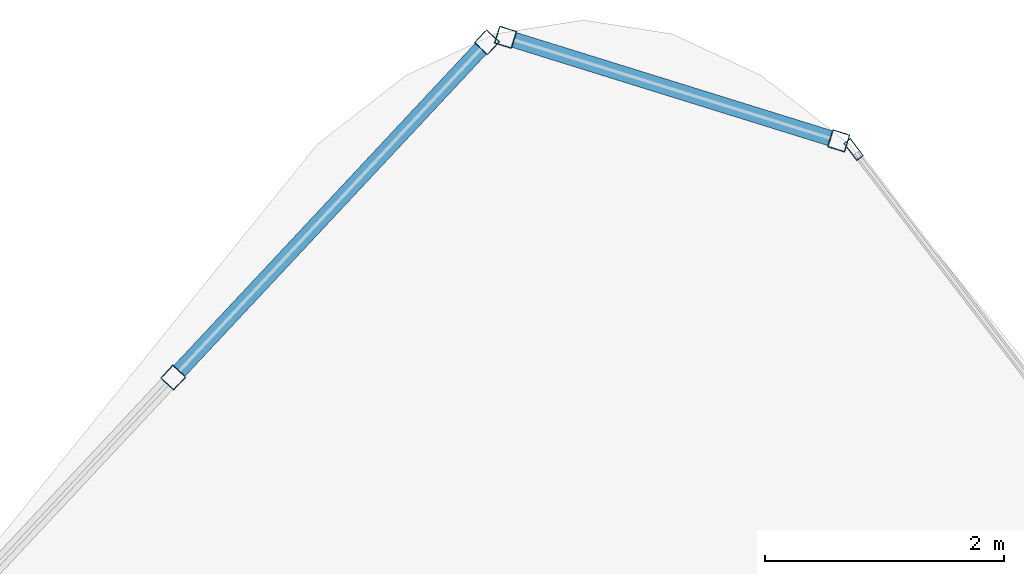
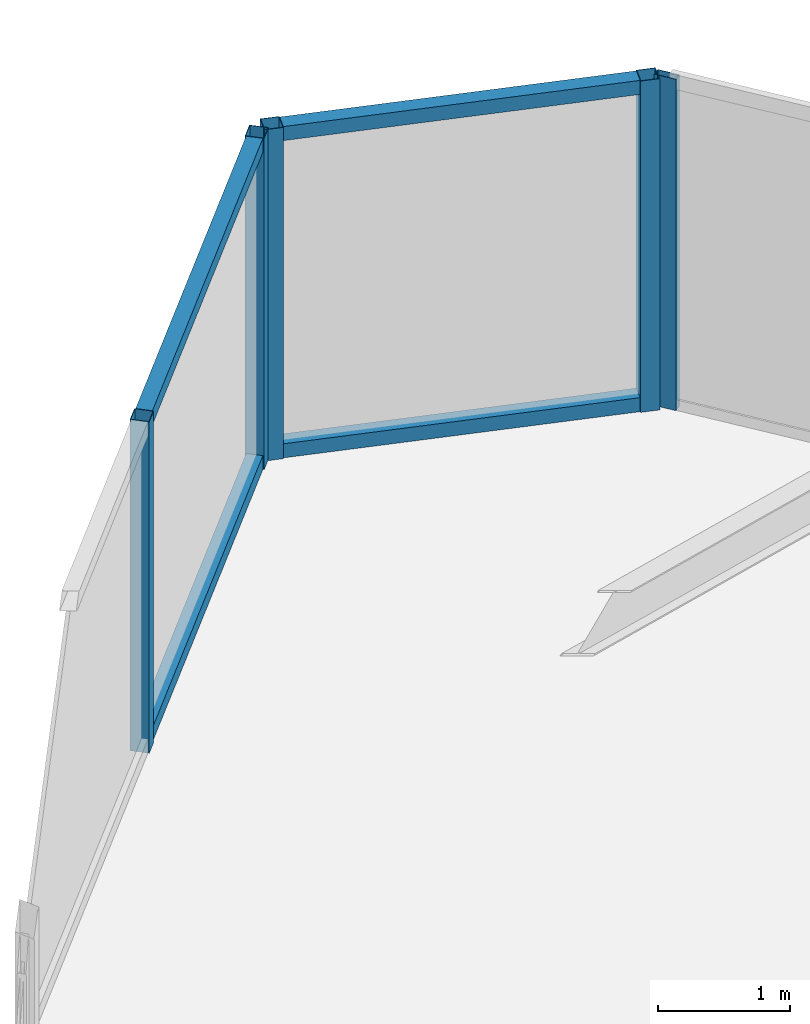
# One storey, part 24 of 34: 9 members, 3 elements without a shape of their own.
"""IFC4 building model written with IfcOpenShell, lengths in metres."""

from ifc_helpers import new_model, si_unit, direction, frame, origin, origin_2d, place, context, subcontext, project, spatial, hollow_rectangle, extrude, material, layer, layer_set, material_profile, profile_set, type_object, element, aggregate, save


model = new_model("IFC4")

# Units and contexts
model_context = context("Model", 3, precision=1e-05, world=origin(), true_north=direction((0.0, 1.0)))
body_context = subcontext(model_context, "Body", "Model", "MODEL_VIEW")
ifc_project = project(units=[si_unit("LENGTHUNIT", "METRE"), si_unit("AREAUNIT", "SQUARE_METRE"), si_unit("VOLUMEUNIT", "CUBIC_METRE"), si_unit("PLANEANGLEUNIT", "RADIAN"), si_unit("MASSUNIT", "GRAM", prefix="KILO")], contexts=[model_context])

# Site, building, storey
site_placement = place(None, origin())
site = spatial("IfcSite", under=ifc_project, at=site_placement, CompositionType="ELEMENT")
building_placement = place(site_placement, origin())
building = spatial("IfcBuilding", under=site, at=building_placement, Name="Orvanel Arch Residences", CompositionType="ELEMENT")
storey_placement = place(building_placement, frame((0.0, 0.0, 80.75)))
storey = spatial("IfcBuildingStorey", under=building, at=storey_placement, Name="L22", CompositionType="ELEMENT", Elevation=80.75)

# Curtain wall, members
ifc_material = material(Name="Bronze-anodised aluminium AA6063-T6", Category="aluminium")
ifc_layer_1 = layer(ifc_material, 0.18994140625)
ifc_layer_set_1 = layer_set([ifc_layer_1], Name="Bronze-anodised aluminium AA6063-T6")
curtain_wall_type_1 = type_object("IfcCurtainWallType", Name="CW5-CRN-SYS", PredefinedType="NOTDEFINED", material=ifc_layer_set_1)
curtain_wall_1_placement = place(storey_placement, origin())
curtain_wall_1 = element("IfcCurtainWall", 1, at=curtain_wall_1_placement, inside=storey, type_object=curtain_wall_type_1, Name="L22 CW5-CRN-SYS Unitised Curtain Wall", PredefinedType="NOTDEFINED")
ifc_material_profile_1 = material_profile(ifc_material, hollow_rectangle(XDim=0.14990234375, YDim=0.14990234375, WallThickness=0.0048828125, at=origin_2d()), Name="ALU150x150x5")
ifc_profile_set_1 = profile_set([ifc_material_profile_1], Name="Bronze-anodised aluminium AA6063-T6")
member_type_1 = type_object("IfcMemberType", Name="MUL-150x150", PredefinedType="MULLION", material=ifc_profile_set_1)
member_1_placement = place(storey_placement, frame((35.13427734375, 50.044189453125, 0.0), z_axis=(0.0, 0.0, 1.0), x_axis=(-0.296993893392, -0.954879378397, 0.0)))
member_1 = element("IfcMember", 2, at=member_1_placement, type_object=member_type_1, Name="CW-S5 mullion 1", PredefinedType="MULLION", context=body_context, shape_type="SweptSolid", body=[
    extrude(hollow_rectangle(XDim=0.14990234375, YDim=0.14990234375, WallThickness=0.0048828125, at=origin_2d()), origin(), (0.0, 0.0, 1.0), 3.06005859375),
])
member_2_placement = place(storey_placement, frame((32.3486328125, 50.91064453125, 0.0), z_axis=(0.0, 0.0, 1.0), x_axis=(-0.296993893392, -0.954879378397, 0.0)))
member_2 = element("IfcMember", 3, at=member_2_placement, type_object=member_type_1, Name="CW-S5 mullion 2", PredefinedType="MULLION", context=body_context, shape_type="SweptSolid", body=[
    extrude(hollow_rectangle(XDim=0.14990234375, YDim=0.14990234375, WallThickness=0.0048828125, at=origin_2d()), origin(), (0.0, 0.0, 1.0), 3.06005859375),
])

curtain_wall_2_placement = place(storey_placement, origin())
curtain_wall_2 = element("IfcCurtainWall", 4, at=curtain_wall_2_placement, inside=storey, type_object=curtain_wall_type_1, Name="L22 CW5-CRN-SYS Unitised Curtain Wall", PredefinedType="NOTDEFINED")
member_3_placement = place(storey_placement, frame((32.19287109375, 50.869140625, 0.0), z_axis=(0.0, 0.0, 1.0), x_axis=(0.730281692072, -0.683146141191, 0.0)))
member_3 = element("IfcMember", 5, at=member_3_placement, type_object=member_type_1, Name="CW-S5 mullion 1", PredefinedType="MULLION", context=body_context, shape_type="SweptSolid", body=[
    extrude(hollow_rectangle(XDim=0.14990234375, YDim=0.14990234375, WallThickness=0.0048828125, at=origin_2d()), origin(), (0.0, 0.0, 1.0), 3.06005859375),
])
member_4_placement = place(storey_placement, frame((29.570068359375, 48.0654296875, 0.0), z_axis=(0.0, 0.0, 1.0), x_axis=(0.730281692072, -0.683146141191, 0.0)))
member_4 = element("IfcMember", 6, at=member_4_placement, type_object=member_type_1, Name="CW-S5 mullion 2", PredefinedType="MULLION", context=body_context, shape_type="SweptSolid", body=[
    extrude(hollow_rectangle(XDim=0.14990234375, YDim=0.14990234375, WallThickness=0.0048828125, at=origin_2d()), origin(), (0.0, 0.0, 1.0), 3.06005859375),
])

# Curtain wall, member
ifc_layer_2 = layer(ifc_material, 0.179931640625)
ifc_layer_set_2 = layer_set([ifc_layer_2], Name="Bronze-anodised aluminium AA6063-T6")
curtain_wall_type_2 = type_object("IfcCurtainWallType", Name="CW2-LOW-SYS", PredefinedType="NOTDEFINED", material=ifc_layer_set_2)
curtain_wall_3_placement = place(storey_placement, origin())
curtain_wall_3 = element("IfcCurtainWall", 7, at=curtain_wall_3_placement, inside=storey, type_object=curtain_wall_type_2, Name="L22 CW2-LOW-SYS Unitised Curtain Wall", PredefinedType="NOTDEFINED")
ifc_material_profile_2 = material_profile(ifc_material, hollow_rectangle(XDim=0.070068359375, YDim=0.179931640625, WallThickness=0.00439453125, at=origin_2d()), Name="ALU180x70x4.5")
ifc_profile_set_2 = profile_set([ifc_material_profile_2], Name="Bronze-anodised aluminium AA6063-T6")
member_type_2 = type_object("IfcMemberType", Name="MUL-180x70", PredefinedType="MULLION", material=ifc_profile_set_2)
member_5_placement = place(storey_placement, frame((35.25830078125, 49.97216796875, 0.0), z_axis=(0.0, 0.0, 1.0), x_axis=(-0.794739834664, -0.606950241122, 0.0)))
member_5 = element("IfcMember", 8, at=member_5_placement, type_object=member_type_2, Name="CW-S2 mullion 4", PredefinedType="MULLION", context=body_context, shape_type="SweptSolid", body=[
    extrude(hollow_rectangle(XDim=0.070068359375, YDim=0.179931640625, WallThickness=0.00439453125, at=origin_2d()), origin(), (0.0, 0.0, 1.0), 3.06005859375),
])
aggregate(curtain_wall_3, [member_5])

# Member
ifc_material_profile_3 = material_profile(ifc_material, hollow_rectangle(XDim=0.1298828125, YDim=0.1298828125, WallThickness=0.00439453125, at=origin_2d()), Name="ALU130x130x4.5")
ifc_profile_set_3 = profile_set([ifc_material_profile_3], Name="Bronze-anodised aluminium AA6063-T6")
member_type_3 = type_object("IfcMemberType", Name="TRN-130x130", PredefinedType="USERDEFINED", material=ifc_profile_set_3)
member_6_placement = place(storey_placement, frame((35.062744140625, 50.066650390625, 0.06494140625), z_axis=(-0.954893471113, 0.296948579431, 0.0), x_axis=(-0.296948579431, -0.954893471113, 0.0)))
member_6 = element("IfcMember", 9, at=member_6_placement, type_object=member_type_3, Name="CW-S5 transom 1.1", ObjectType="TRANSOM", PredefinedType="USERDEFINED", context=body_context, shape_type="SweptSolid", body=[
    extrude(hollow_rectangle(XDim=0.1298828125, YDim=0.1298828125, WallThickness=0.00439453125, at=origin_2d()), origin(), (0.0, 0.0, 1.0), 2.767333984375),
])

member_7_placement = place(storey_placement, frame((35.062744140625, 50.066650390625, 2.9951171875), z_axis=(-0.954893471113, 0.296948579431, 0.0), x_axis=(-0.296948579431, -0.954893471113, 0.0)))
member_7 = element("IfcMember", 10, at=member_7_placement, type_object=member_type_3, Name="CW-S5 transom 1.2", ObjectType="TRANSOM", PredefinedType="USERDEFINED", context=body_context, shape_type="SweptSolid", body=[
    extrude(hollow_rectangle(XDim=0.1298828125, YDim=0.1298828125, WallThickness=0.00439453125, at=origin_2d()), origin(), (0.0, 0.0, 1.0), 2.767333984375),
])

aggregate(curtain_wall_1, [member_1, member_2, member_6, member_7])

member_8_placement = place(storey_placement, frame((32.1416015625, 50.814453125, 0.06494140625), z_axis=(-0.68315485184, -0.730273543549, 0.0), x_axis=(0.730273543549, -0.68315485184, 0.0)))
member_8 = element("IfcMember", 11, at=member_8_placement, type_object=member_type_3, Name="CW-S5 transom 1.1", ObjectType="TRANSOM", PredefinedType="USERDEFINED", context=body_context, shape_type="SweptSolid", body=[
    extrude(hollow_rectangle(XDim=0.1298828125, YDim=0.1298828125, WallThickness=0.00439453125, at=origin_2d()), origin(), (0.0, 0.0, 1.0), 3.689208984375),
])

member_9_placement = place(storey_placement, frame((32.1416015625, 50.814453125, 2.9951171875), z_axis=(-0.68315485184, -0.730273543549, 0.0), x_axis=(0.730273543549, -0.68315485184, 0.0)))
member_9 = element("IfcMember", 12, at=member_9_placement, type_object=member_type_3, Name="CW-S5 transom 1.2", ObjectType="TRANSOM", PredefinedType="USERDEFINED", context=body_context, shape_type="SweptSolid", body=[
    extrude(hollow_rectangle(XDim=0.1298828125, YDim=0.1298828125, WallThickness=0.00439453125, at=origin_2d()), origin(), (0.0, 0.0, 1.0), 3.689208984375),
])

aggregate(curtain_wall_2, [member_3, member_4, member_8, member_9])

save(model, "model.ifc")
